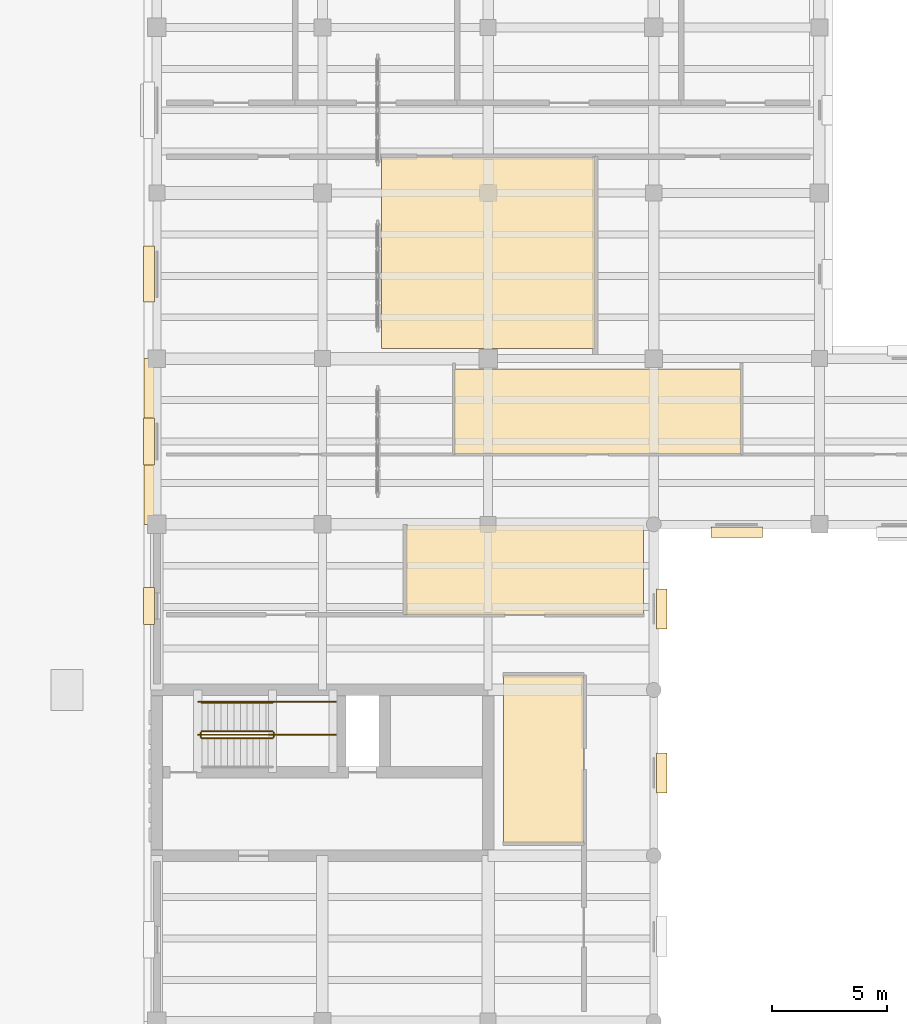
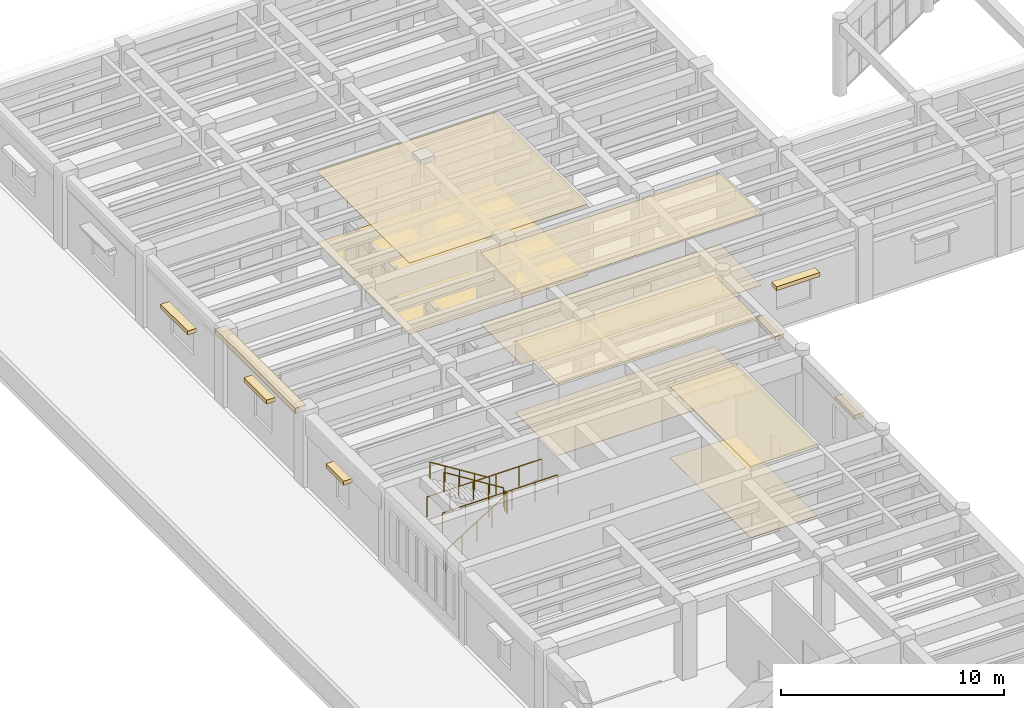
# One storey, part 69 of 76: 15 coverings, 7 railings.
"""IFC4 building model written with IfcOpenShell, lengths in metres."""

import ifcopenshell
import ifcopenshell.guid

model = None  # the IFC model being written
_history = None  # IfcOwnerHistory: only IFC2X3 demands one
_inside = {}  # id of a spatial element -> (the spatial element, [elements in it])
_under = {}  # id of a project, library or spatial element -> (it, [spatial elements below it])
_declared = {}  # id of a project -> (the project, [libraries it declares])
_typed = {}  # id of a type object -> (the type object, [elements of that type])
_made_of = {}  # id of a material, layer set ... -> (it, [elements and type objects made of it])


def new_model(schema):
    """Start an empty IFC model of exactly this schema.

    Asked for "IFC4X3", IfcOpenShell would pick the latest addendum, in which some entities
    have other attributes; the version numbers below select the first issue.
    IFC2X3 requires an IfcOwnerHistory on every rooted entity: one is made here for all.
    """
    global model, _history
    if schema == "IFC4X3":
        model = ifcopenshell.file(schema_version=(4, 3, 0, 0))
    else:
        model = ifcopenshell.file(schema=schema)
    _inside.clear()
    _under.clear()
    _declared.clear()
    _typed.clear()
    _made_of.clear()
    _history = None
    if model.schema == "IFC2X3":
        org = make("IfcOrganization", Name="unknown")
        user = make(
            "IfcPersonAndOrganization",
            ThePerson=make("IfcPerson", FamilyName="unknown"),
            TheOrganization=org,
        )
        app = make(
            "IfcApplication",
            ApplicationDeveloper=org,
            Version="unknown",
            ApplicationFullName="unknown",
            ApplicationIdentifier="unknown",
        )
        _history = make(
            "IfcOwnerHistory",
            OwningUser=user,
            OwningApplication=app,
            ChangeAction="ADDED",
            CreationDate=0,
        )
    return model


def make(cls, **values):
    """One entity of the class cls with the attributes given. An attribute that is None is left unset."""
    return model.create_entity(
        cls, **{name: value for name, value in values.items() if value is not None}
    )


def rooted(cls, **values):
    """An entity with a GlobalId (a new one), such as an element, a storey or a relation."""
    return make(cls, GlobalId=ifcopenshell.guid.new(), OwnerHistory=_history, **values)


def si_unit(unit_type, name, prefix=None):
    """IfcSIUnit, for example si_unit("LENGTHUNIT", "METRE", prefix="MILLI")."""
    return make("IfcSIUnit", UnitType=unit_type, Prefix=prefix, Name=name)


def assignment(units):
    """IfcUnitAssignment: the units of a project."""
    return None if units is None else make("IfcUnitAssignment", Units=units)


def point(xyz):
    """IfcCartesianPoint."""
    return None if xyz is None else make("IfcCartesianPoint", Coordinates=xyz)


def direction(xyz):
    """IfcDirection."""
    return None if xyz is None else make("IfcDirection", DirectionRatios=xyz)


def frame(location, z_axis=None, x_axis=None):
    """IfcAxis2Placement3D, a coordinate frame: its origin and axes. An axis left out is left unset."""
    return make(
        "IfcAxis2Placement3D",
        Location=point(location),
        Axis=direction(z_axis),
        RefDirection=direction(x_axis),
    )


def frame_2d(location, x_axis=None):
    """IfcAxis2Placement2D, a coordinate frame in the plane: its origin and x axis."""
    return make(
        "IfcAxis2Placement2D", Location=point(location), RefDirection=direction(x_axis)
    )


def origin():
    """The frame at (0, 0, 0) with its axes left unset."""
    return frame((0.0, 0.0, 0.0))


def origin_2d():
    """The frame at (0, 0) in the plane with its x axis left unset."""
    return frame_2d((0.0, 0.0))


def place(relative_to, where):
    """IfcLocalPlacement: puts the frame where relative to a parent placement (None: the world)."""
    return make(
        "IfcLocalPlacement", PlacementRelTo=relative_to, RelativePlacement=where
    )


def context(
    kind, dimensions, precision=None, world=None, true_north=None, identifier=None
):
    """IfcGeometricRepresentationContext, for example the 3D "Model" context."""
    return make(
        "IfcGeometricRepresentationContext",
        ContextIdentifier=identifier,
        ContextType=kind,
        CoordinateSpaceDimension=dimensions,
        Precision=precision,
        WorldCoordinateSystem=world,
        TrueNorth=true_north,
    )


def subcontext(parent, identifier, kind, view, scale=None):
    """IfcGeometricRepresentationSubContext, for example "Body" below "Model"."""
    return make(
        "IfcGeometricRepresentationSubContext",
        ContextIdentifier=identifier,
        ContextType=kind,
        ParentContext=parent,
        TargetScale=scale,
        TargetView=view,
    )


def project(units=None, contexts=None):
    """IfcProject with its units and contexts."""
    return rooted(
        "IfcProject",
        Name="project",
        RepresentationContexts=contexts,
        UnitsInContext=assignment(units),
    )


def spatial(cls, under=None, at=None, **own):
    """A site, building, storey or space (cls), placed at a placement, below another one or the project."""
    s = rooted(cls, ObjectPlacement=at, **own)
    if under is not None:
        _under.setdefault(under.id(), (under, []))[1].append(s)
    return s


def polyline(points):
    """IfcPolyline through the points."""
    return make("IfcPolyline", Points=[point(p) for p in points])


def profile(cls, at=None, kind="AREA", **sizes):
    """A parametric profile (cls). Its sizes go by their IFC names, for example OverallWidth=200.0."""
    return make(cls, ProfileType=kind, Position=at, **sizes)


def rectangle(**sizes):
    """IfcRectangleProfileDef."""
    return profile("IfcRectangleProfileDef", **sizes)


def circle(**sizes):
    """IfcCircleProfileDef."""
    return profile("IfcCircleProfileDef", **sizes)


def outline(outer, holes=None, kind="AREA"):
    """IfcArbitraryClosedProfileDef: a profile drawn as a closed curve; with holes, ...WithVoids."""
    if holes is None:
        return make("IfcArbitraryClosedProfileDef", ProfileType=kind, OuterCurve=outer)
    return make(
        "IfcArbitraryProfileDefWithVoids",
        ProfileType=kind,
        OuterCurve=outer,
        InnerCurves=holes,
    )


def extrude(swept, where, along, depth):
    """IfcExtrudedAreaSolid: the profile swept, set in the frame where, extruded along a direction by depth."""
    return make(
        "IfcExtrudedAreaSolid",
        SweptArea=swept,
        Position=where,
        ExtrudedDirection=direction(along),
        Depth=depth,
    )


def shape(context_of_items, identifier, shape_type, items):
    """IfcShapeRepresentation: the items that make up one representation, for example the "Body"."""
    return make(
        "IfcShapeRepresentation",
        ContextOfItems=context_of_items,
        RepresentationIdentifier=identifier,
        RepresentationType=shape_type,
        Items=items,
    )


def material(Name=None, Category=None):
    """IfcMaterial."""
    return make("IfcMaterial", Name=Name, Category=Category)


def layer(
    of_material, thickness, ventilated=None, Name=None, Category=None, Priority=None
):
    """IfcMaterialLayer: one layer of a wall or slab, of a material (None: an air gap)."""
    return make(
        "IfcMaterialLayer",
        Material=of_material,
        LayerThickness=thickness,
        IsVentilated=ventilated,
        Name=Name,
        Category=Category,
        Priority=Priority,
    )


def layer_set(layers, Name=None):
    """IfcMaterialLayerSet."""
    return make("IfcMaterialLayerSet", MaterialLayers=layers, LayerSetName=Name)


def made_of(thing, what):
    """Note that an element or type object is made of a material, layer set ...; save() writes the relation."""
    if what is not None:
        _made_of.setdefault(what.id(), (what, []))[1].append(thing)
    return thing


def type_object(cls, material=None, **own):
    """A type object (cls), such as IfcWallType, which elements share."""
    return made_of(rooted(cls, **own), material)


def element(
    cls,
    number,
    at=None,
    inside=None,
    cuts=None,
    type_object=None,
    material=None,
    context=None,
    identifier="Body",
    shape_type=None,
    held_by="IfcProductDefinitionShape",
    body=None,
    shapes=None,
    **own,
):
    """One element of the class cls, such as IfcWall. Its Tag is "e" and its number.

    at: its placement. inside: the storey or other place that contains it. cuts: it is an
    opening in that element (IfcRelVoidsElement). A single representation is given by context,
    identifier, shape_type and body (its items); several are given by shapes. held_by: the class
    of the entity that holds the representations. save() writes the other relations.
    """
    e = rooted(cls, Tag="e%d" % number, ObjectPlacement=at, **own)
    if body is not None:
        shapes = [shape(context, identifier, shape_type, body)]
    if shapes is not None:
        e.Representation = make(held_by, Representations=shapes)
    if inside is not None:
        _inside.setdefault(inside.id(), (inside, []))[1].append(e)
    if cuts is not None:
        rooted(
            "IfcRelVoidsElement", RelatingBuildingElement=cuts, RelatedOpeningElement=e
        )
    if type_object is not None:
        _typed.setdefault(type_object.id(), (type_object, []))[1].append(e)
    return made_of(e, material)


def aggregate(whole, parts):
    """IfcRelAggregates: a whole, such as a stair, and the parts it consists of."""
    return rooted("IfcRelAggregates", RelatingObject=whole, RelatedObjects=parts)


def save(model, path):
    """Write the relations noted so far, then the file.

    IfcRelAggregates (storeys below a building ...), IfcRelContainedInSpatialStructure (elements
    in a storey), IfcRelDefinesByType, IfcRelAssociatesMaterial and IfcRelDeclares: one each for
    every whole, place, type object, material and project.
    """
    for whole, parts in _under.values():
        aggregate(whole, parts)
    for where, things in _inside.values():
        rooted(
            "IfcRelContainedInSpatialStructure",
            RelatedElements=things,
            RelatingStructure=where,
        )
    for kind, things in _typed.values():
        rooted("IfcRelDefinesByType", RelatedObjects=things, RelatingType=kind)
    for what, things in _made_of.values():
        rooted("IfcRelAssociatesMaterial", RelatedObjects=things, RelatingMaterial=what)
    for by, libraries in _declared.values():
        rooted("IfcRelDeclares", RelatingContext=by, RelatedDefinitions=libraries)
    model.write(path)


model = new_model("IFC4")

# Units and contexts
model_context = context("Model", 3, precision=1e-05, world=origin(), true_north=direction((0.0, 1.0)))
body_context = subcontext(model_context, "Body", "Model", "MODEL_VIEW")
ifc_project = project(units=[si_unit("LENGTHUNIT", "METRE"), si_unit("AREAUNIT", "SQUARE_METRE"), si_unit("VOLUMEUNIT", "CUBIC_METRE"), si_unit("PLANEANGLEUNIT", "RADIAN"), si_unit("MASSUNIT", "GRAM", prefix="KILO")], contexts=[model_context])

# Site, building, storey
site_placement = place(None, origin())
site = spatial("IfcSite", under=ifc_project, at=site_placement, CompositionType="ELEMENT")
building_placement = place(site_placement, origin())
building = spatial("IfcBuilding", under=site, at=building_placement, Name="Mithqara Police Headquarters", CompositionType="ELEMENT")
storey_placement = place(building_placement, frame((0.0, 0.0, 5.39990234375)))
storey = spatial("IfcBuildingStorey", under=building, at=storey_placement, Name="L01", CompositionType="ELEMENT", Elevation=5.39990234375)

# Coverings
ifc_material_1 = material(Name="Acoustic mineral-fibre ceiling tile", Category="gypsum")
ifc_layer_1 = layer(ifc_material_1, 0.02490234375, Name="Acoustic mineral-fibre ceiling tile")
ifc_layer_set_1 = layer_set([ifc_layer_1], Name="Acoustic mineral-fibre ceiling tile")
covering_type_1 = type_object("IfcCoveringType", Name="ACOUSTIC CEILING TILE", PredefinedType="CEILING", material=ifc_layer_set_1)
covering_1_placement = place(storey_placement, frame((0.0, 0.0, 3.89501953125)))
element("IfcCovering", 1, at=covering_1_placement, inside=storey, type_object=covering_type_1, Name="Community Mediation Suite Acoustic Ceiling", PredefinedType="CEILING", context=body_context, shape_type="SweptSolid", body=[
    extrude(outline(polyline([(17.56005859375, 86.239990234375), (26.840087890625, 86.239990234375), (26.840087890625, 94.56005859375), (17.56005859375, 94.56005859375), (17.56005859375, 86.239990234375)])), origin(), (0.0, 0.0, 1.0), 0.025146484375),
])
covering_2_placement = place(storey_placement, frame((0.0, 0.0, 3.89501953125)))
element("IfcCovering", 2, at=covering_2_placement, inside=storey, type_object=covering_type_1, Name="Social Worker Liaison Room Acoustic Ceiling", PredefinedType="CEILING", context=body_context, shape_type="SweptSolid", body=[
    extrude(outline(polyline([(20.735107421875, 81.659912109375), (33.18994140625, 81.659912109375), (33.18994140625, 85.360107421875), (20.735107421875, 85.360107421875), (20.735107421875, 81.659912109375)])), origin(), (0.0, 0.0, 1.0), 0.025146484375),
])
covering_3_placement = place(storey_placement, frame((0.0, 0.0, 3.89501953125)))
element("IfcCovering", 3, at=covering_3_placement, inside=storey, type_object=covering_type_1, Name="Maritime and Coastal Liaison Office Acoustic Ceiling", PredefinedType="CEILING", context=body_context, shape_type="SweptSolid", body=[
    extrude(outline(polyline([(18.6201171875, 74.68994140625), (28.9599609375, 74.68994140625), (28.9599609375, 78.580078125), (18.6201171875, 78.580078125), (18.6201171875, 74.68994140625)])), origin(), (0.0, 0.0, 1.0), 0.025146484375),
])
covering_4_placement = place(storey_placement, frame((0.0, 0.0, 3.89501953125)))
element("IfcCovering", 4, at=covering_4_placement, inside=storey, type_object=covering_type_1, Name="Maritime and Coastal Liaison Office Acoustic Ceiling", PredefinedType="CEILING", context=body_context, shape_type="SweptSolid", body=[
    extrude(outline(polyline([(22.8701171875, 64.7548828125), (26.340087890625, 64.7548828125), (26.340087890625, 72.030029296875), (22.8701171875, 72.030029296875), (22.8701171875, 64.7548828125)])), origin(), (0.0, 0.0, 1.0), 0.025146484375),
])
ifc_material_2 = material(Name="Limestone ashlar masonry, 45 MPa", Category="masonry")
ifc_layer_2 = layer(ifc_material_2, 0.320068359375, Name="Limestone ashlar masonry, 45 MPa")
ifc_layer_set_2 = layer_set([ifc_layer_2], Name="Limestone ashlar masonry, 45 MPa")
covering_type_2 = type_object("IfcCoveringType", Name="CORNICE LIMESTONE", PredefinedType="CLADDING", material=ifc_layer_set_2)
covering_5_placement = place(storey_placement, frame((7.52001953125, 82.199951171875, 3.919921875), z_axis=(0.0, 0.0, 1.0), x_axis=(0.0, 1.0, 0.0)))
element("IfcCovering", 5, at=covering_5_placement, inside=storey, type_object=covering_type_2, Name="L01 Projecting Ottoman Limestone Eaves Cornice 16", PredefinedType="CLADDING", context=body_context, shape_type="SweptSolid", body=[
    extrude(rectangle(XDim=7.199951171875, YDim=0.56005859375, at=origin_2d()), origin(), (0.0, 0.0, 1.0), 0.280029296875),
])

# Railings
ifc_material_3 = material(Name="Steel S355JR", Category="steel")
railing_type_1 = type_object("IfcRailingType", Name="HANDRAIL 920", PredefinedType="HANDRAIL", material=ifc_material_3)
railing_1_placement = place(storey_placement, frame((12.830078125, 70.85009765625, 2.275146484375)))
element("IfcRailing", 6, at=railing_1_placement, inside=storey, type_object=railing_type_1, Name="L01 ST-03 stair handrail 2", PredefinedType="HANDRAIL", context=body_context, shape_type="SweptSolid", body=[
    extrude(circle(Radius=0.02392578125, at=origin_2d()), frame((0.0, 0.0, 0.8759765625), z_axis=(-0.847998304005, 0.0, 0.529998940003), x_axis=(0.0, -1.0, 0.0)), (0.0, 0.0, 1.0), 3.632080078125),
    extrude(circle(Radius=0.02099609375, at=origin_2d()), origin(), (0.0, 0.0, 1.0), 0.851806640625),
    extrude(circle(Radius=0.02099609375, at=origin_2d()), frame((-0.77001953125, 0.0, 0.481201171875)), (0.0, 0.0, 1.0), 0.851806640625),
    extrude(circle(Radius=0.02099609375, at=origin_2d()), frame((-1.5400390625, 0.0, 0.96240234375)), (0.0, 0.0, 1.0), 0.851806640625),
    extrude(circle(Radius=0.02099609375, at=origin_2d()), frame((-2.31005859375, 0.0, 1.44384765625)), (0.0, 0.0, 1.0), 0.851806640625),
    extrude(circle(Radius=0.02099609375, at=origin_2d()), frame((-3.080078125, 0.0, 1.925048828125)), (0.0, 0.0, 1.0), 0.851806640625),
])
railing_type_2 = type_object("IfcRailingType", Name="STAIR GUARD 1120", PredefinedType="GUARDRAIL", material=ifc_material_3)
railing_2_placement = place(storey_placement, frame((9.75, 69.300048828125, 0.175048828125)))
element("IfcRailing", 7, at=railing_2_placement, inside=storey, type_object=railing_type_2, Name="L01 ST-03 stair guard 1", PredefinedType="GUARDRAIL", context=body_context, shape_type="SweptSolid", body=[
    extrude(circle(Radius=0.02392578125, at=origin_2d()), frame((0.0, 0.0, 1.076171875), z_axis=(0.847998304005, 0.0, 0.529998940003), x_axis=(0.0, 1.0, 0.0)), (0.0, 0.0, 1.0), 3.632080078125),
    extrude(circle(Radius=0.02099609375, at=origin_2d()), origin(), (0.0, 0.0, 1.0), 1.052001953125),
    extrude(circle(Radius=0.02099609375, at=origin_2d()), frame((0.77001953125, 0.0, 0.481201171875)), (0.0, 0.0, 1.0), 1.052001953125),
    extrude(circle(Radius=0.02099609375, at=origin_2d()), frame((1.5400390625, 0.0, 0.96240234375)), (0.0, 0.0, 1.0), 1.052001953125),
    extrude(circle(Radius=0.02099609375, at=origin_2d()), frame((2.31005859375, 0.0, 1.44384765625)), (0.0, 0.0, 1.0), 1.052001953125),
    extrude(circle(Radius=0.02099609375, at=origin_2d()), frame((3.080078125, 0.0, 1.925048828125)), (0.0, 0.0, 1.0), 1.052001953125),
])
railing_3_placement = place(storey_placement, frame((12.8798828125, 69.35009765625, 2.10009765625)))
element("IfcRailing", 8, at=railing_3_placement, inside=storey, type_object=railing_type_2, Name="L01 ST-03 stair guard 2", PredefinedType="GUARDRAIL", context=body_context, shape_type="SweptSolid", body=[
    extrude(circle(Radius=0.02392578125, at=origin_2d()), frame((0.0, 0.0, 1.076171875), z_axis=(0.0, 1.0, 0.0), x_axis=(-1.0, 0.0, 0.0)), (0.0, 0.0, 1.0), 0.199951171875),
    extrude(circle(Radius=0.02099609375, at=origin_2d()), origin(), (0.0, 0.0, 1.0), 1.052001953125),
    extrude(circle(Radius=0.02099609375, at=origin_2d()), frame((0.0, 0.199951171875, 0.0)), (0.0, 0.0, 1.0), 1.052001953125),
])
railing_4_placement = place(storey_placement, frame((12.830078125, 69.60009765625, 2.275146484375)))
element("IfcRailing", 9, at=railing_4_placement, inside=storey, type_object=railing_type_2, Name="L01 ST-03 stair guard 3", PredefinedType="GUARDRAIL", context=body_context, shape_type="SweptSolid", body=[
    extrude(circle(Radius=0.02392578125, at=origin_2d()), frame((0.0, 0.0, 1.076171875), z_axis=(-0.847998304005, 0.0, 0.529998940003), x_axis=(0.0, -1.0, 0.0)), (0.0, 0.0, 1.0), 3.632080078125),
    extrude(circle(Radius=0.02099609375, at=origin_2d()), origin(), (0.0, 0.0, 1.0), 1.052001953125),
    extrude(circle(Radius=0.02099609375, at=origin_2d()), frame((-0.77001953125, 0.0, 0.481201171875)), (0.0, 0.0, 1.0), 1.052001953125),
    extrude(circle(Radius=0.02099609375, at=origin_2d()), frame((-1.5400390625, 0.0, 0.96240234375)), (0.0, 0.0, 1.0), 1.052001953125),
    extrude(circle(Radius=0.02099609375, at=origin_2d()), frame((-2.31005859375, 0.0, 1.44384765625)), (0.0, 0.0, 1.0), 1.052001953125),
    extrude(circle(Radius=0.02099609375, at=origin_2d()), frame((-3.080078125, 0.0, 1.925048828125)), (0.0, 0.0, 1.0), 1.052001953125),
])
railing_5_placement = place(storey_placement, frame((9.699951171875, 69.35009765625, 0.0)))
element("IfcRailing", 10, at=railing_5_placement, inside=storey, type_object=railing_type_2, Name="L01 ST-03 stair guard 4", PredefinedType="GUARDRAIL", context=body_context, shape_type="SweptSolid", body=[
    extrude(circle(Radius=0.02392578125, at=origin_2d()), frame((0.0, 0.0, 1.076171875), z_axis=(0.0, 1.0, 0.0), x_axis=(-1.0, 0.0, 0.0)), (0.0, 0.0, 1.0), 0.199951171875),
    extrude(circle(Radius=0.02099609375, at=origin_2d()), origin(), (0.0, 0.0, 1.0), 1.052001953125),
    extrude(circle(Radius=0.02099609375, at=origin_2d()), frame((0.0, 0.199951171875, 0.0)), (0.0, 0.0, 1.0), 1.052001953125),
])
for number, where, name in (
    (11, (9.60009765625, 69.449951171875, 2.10009765625), "L01 ST-03 Half-Landing Guard IN"),
    (12, (9.60009765625, 70.8798828125, 2.10009765625), "L01 ST-03 Half-Landing Guard OUT"),
):
    element("IfcRailing", number, at=place(storey_placement, frame(where)), inside=storey, type_object=railing_type_2, Name=name, PredefinedType="GUARDRAIL", context=body_context, shape_type="SweptSolid", body=[
        extrude(circle(Radius=0.02392578125, at=origin_2d()), frame((0.0, 0.0, 1.09619140625), z_axis=(1.0, 0.0, 0.0), x_axis=(0.0, 1.0, 0.0)), (0.0, 0.0, 1.0), 5.97998046875),
        extrude(circle(Radius=0.02099609375, at=origin_2d()), origin(), (0.0, 0.0, 1.0), 1.072021484375),
        extrude(circle(Radius=0.02099609375, at=origin_2d()), frame((1.196044921875, 0.0, 0.0)), (0.0, 0.0, 1.0), 1.072021484375),
        extrude(circle(Radius=0.02099609375, at=origin_2d()), frame((2.39208984375, 0.0, 0.0)), (0.0, 0.0, 1.0), 1.072021484375),
        extrude(circle(Radius=0.02099609375, at=origin_2d()), frame((3.587890625, 0.0, 0.0)), (0.0, 0.0, 1.0), 1.072021484375),
        extrude(circle(Radius=0.02099609375, at=origin_2d()), frame((4.783935546875, 0.0, 0.0)), (0.0, 0.0, 1.0), 1.072021484375),
        extrude(circle(Radius=0.02099609375, at=origin_2d()), frame((5.97998046875, 0.0, 0.0)), (0.0, 0.0, 1.0), 1.072021484375),
    ])

# Coverings
ifc_material_4 = material(Name="Polished limestone terrazzo flooring", Category="masonry")
ifc_layer_3 = layer(ifc_material_4, 0.02001953125, Name="Polished limestone terrazzo flooring")
ifc_layer_set_3 = layer_set([ifc_layer_3], Name="Polished limestone terrazzo flooring")
covering_type_3 = type_object("IfcCoveringType", Name="TERRAZZO FLOOR FINISH", PredefinedType="FLOORING", material=ifc_layer_set_3)
covering_6_placement = place(storey_placement, origin())
element("IfcCovering", 13, at=covering_6_placement, inside=storey, type_object=covering_type_3, Name="Community Mediation Suite Terrazzo Floor Finish", PredefinedType="FLOORING", context=body_context, shape_type="SweptSolid", body=[
    extrude(outline(polyline([(17.56005859375, 86.239990234375), (26.840087890625, 86.239990234375), (26.840087890625, 94.56005859375), (17.56005859375, 94.56005859375), (17.56005859375, 86.239990234375)])), origin(), (0.0, 0.0, 1.0), 0.02001953125),
])
covering_7_placement = place(storey_placement, origin())
element("IfcCovering", 14, at=covering_7_placement, inside=storey, type_object=covering_type_3, Name="Social Worker Liaison Room Terrazzo Floor Finish", PredefinedType="FLOORING", context=body_context, shape_type="SweptSolid", body=[
    extrude(outline(polyline([(20.735107421875, 81.659912109375), (33.18994140625, 81.659912109375), (33.18994140625, 85.360107421875), (20.735107421875, 85.360107421875), (20.735107421875, 81.659912109375)])), origin(), (0.0, 0.0, 1.0), 0.02001953125),
])
covering_8_placement = place(storey_placement, origin())
element("IfcCovering", 15, at=covering_8_placement, inside=storey, type_object=covering_type_3, Name="Maritime and Coastal Liaison Office Terrazzo Floor Finish", PredefinedType="FLOORING", context=body_context, shape_type="SweptSolid", body=[
    extrude(outline(polyline([(18.6201171875, 74.68994140625), (28.9599609375, 74.68994140625), (28.9599609375, 78.580078125), (18.6201171875, 78.580078125), (18.6201171875, 74.68994140625)])), origin(), (0.0, 0.0, 1.0), 0.02001953125),
])
covering_9_placement = place(storey_placement, origin())
element("IfcCovering", 16, at=covering_9_placement, inside=storey, type_object=covering_type_3, Name="Maritime and Coastal Liaison Office Terrazzo Floor Finish", PredefinedType="FLOORING", context=body_context, shape_type="SweptSolid", body=[
    extrude(outline(polyline([(22.8701171875, 64.7548828125), (26.340087890625, 64.7548828125), (26.340087890625, 72.030029296875), (22.8701171875, 72.030029296875), (22.8701171875, 64.7548828125)])), origin(), (0.0, 0.0, 1.0), 0.02001953125),
])
ifc_layer_4 = layer(ifc_material_2, 0.239990234375, Name="Limestone ashlar masonry, 45 MPa")
ifc_layer_set_4 = layer_set([ifc_layer_4], Name="Limestone ashlar masonry, 45 MPa")
covering_type_4 = type_object("IfcCoveringType", Name="WINDOW HOOD LIMESTONE", PredefinedType="CLADDING", material=ifc_layer_set_4)
covering_10_placement = place(storey_placement, frame((7.4599609375, 89.47509765625, 2.3701171875), z_axis=(0.0, 0.0, 1.0), x_axis=(0.0, 1.0, 0.0)))
element("IfcCovering", 17, at=covering_10_placement, inside=storey, type_object=covering_type_4, Name="L01 Limestone Window Architrave Hood 15.1", PredefinedType="CLADDING", context=body_context, shape_type="SweptSolid", body=[
    extrude(rectangle(XDim=2.43994140625, YDim=0.4599609375, at=origin_2d()), origin(), (0.0, 0.0, 1.0), 0.219970703125),
])
covering_11_placement = place(storey_placement, frame((7.4599609375, 82.199951171875, 2.8701171875), z_axis=(0.0, 0.0, 1.0), x_axis=(0.0, 1.0, 0.0)))
element("IfcCovering", 18, at=covering_11_placement, inside=storey, type_object=covering_type_4, Name="L01 Limestone Window Architrave Hood 16.1", PredefinedType="CLADDING", context=body_context, shape_type="SweptSolid", body=[
    extrude(rectangle(XDim=2.0400390625, YDim=0.4599609375, at=origin_2d()), origin(), (0.0, 0.0, 1.0), 0.219970703125),
])
covering_12_placement = place(storey_placement, frame((7.4599609375, 75.050048828125, 2.6201171875), z_axis=(0.0, 0.0, 1.0), x_axis=(0.0, 1.0, 0.0)))
element("IfcCovering", 19, at=covering_12_placement, inside=storey, type_object=covering_type_4, Name="L01 Limestone Window Architrave Hood 17.1", PredefinedType="CLADDING", context=body_context, shape_type="SweptSolid", body=[
    extrude(rectangle(XDim=1.590087890625, YDim=0.4599609375, at=origin_2d()), origin(), (0.0, 0.0, 1.0), 0.219970703125),
])
for number, where, z_axis, x_axis, name in (
    (20, (29.739990234375, 67.800048828125, 2.8701171875), (0.0, 0.0, 1.0), (0.0, 1.0, 0.0), "L01 Limestone Window Architrave Hood 2.2"),
    (21, (29.739990234375, 74.925048828125, 2.8701171875), (0.0, 0.0, 1.0), (0.0, 1.0, 0.0), "L01 Limestone Window Architrave Hood 2.3"),
):
    element("IfcCovering", number, at=place(storey_placement, frame(where, z_axis=z_axis, x_axis=x_axis)), inside=storey, type_object=covering_type_4, Name=name, PredefinedType="CLADDING", context=body_context, shape_type="SweptSolid", body=[
        extrude(rectangle(XDim=1.739990234375, YDim=0.4599609375, at=origin_2d()), origin(), (0.0, 0.0, 1.0), 0.219970703125),
    ])
covering_13_placement = place(storey_placement, frame((33.0, 78.260009765625, 2.3701171875), z_axis=(0.0, 0.0, 1.0), x_axis=(1.0, 0.0, 0.0)))
element("IfcCovering", 22, at=covering_13_placement, inside=storey, type_object=covering_type_4, Name="L01 Limestone Window Architrave Hood 3.1", PredefinedType="CLADDING", context=body_context, shape_type="SweptSolid", body=[
    extrude(rectangle(XDim=2.239990234375, YDim=0.4599609375, at=origin_2d()), origin(), (0.0, 0.0, 1.0), 0.219970703125),
])

save(model, "model.ifc")
